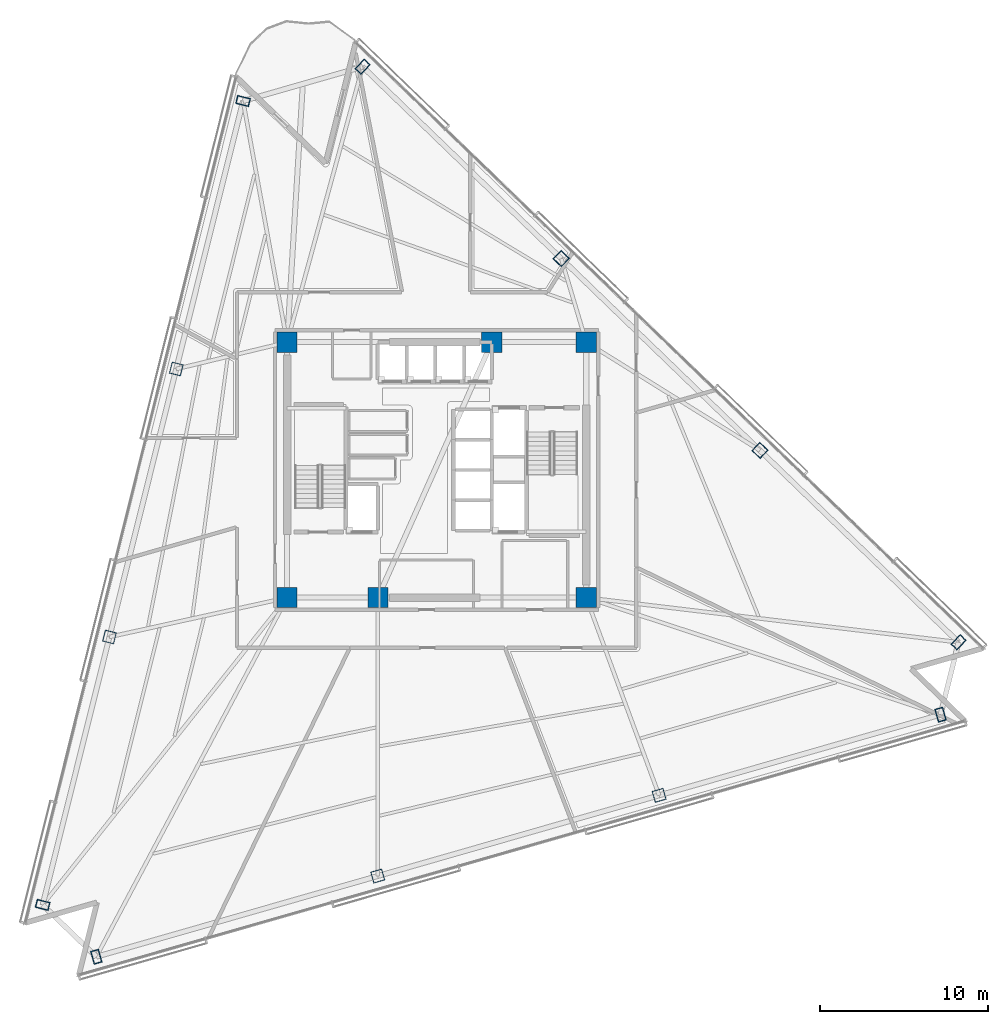
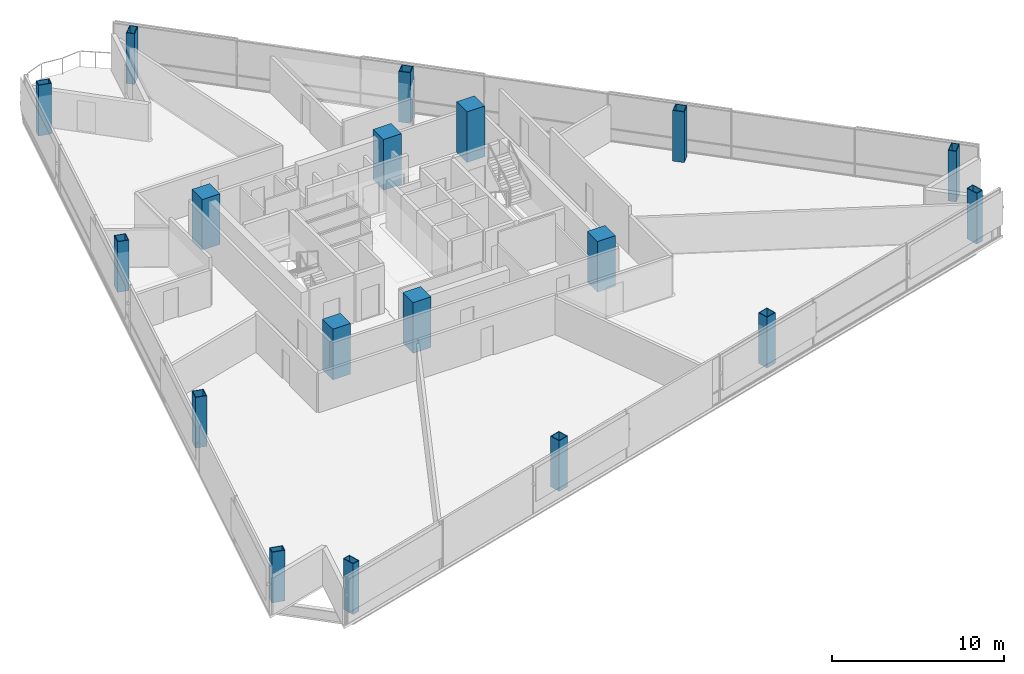
# One storey, part 1 of 17: 18 columns.
"""IFC4 building model written with IfcOpenShell, lengths in metres."""

from ifc_helpers import new_model, si_unit, direction, frame, origin, origin_2d, place, context, subcontext, project, spatial, rectangle, hollow_rectangle, extrude, material, material_profile, profile_set, type_object, element, save


model = new_model("IFC4")

# Units and contexts
model_context = context("Model", 3, precision=1e-05, world=origin(), true_north=direction((0.0, 1.0)))
body_context = subcontext(model_context, "Body", "Model", "MODEL_VIEW")
ifc_project = project(units=[si_unit("LENGTHUNIT", "METRE"), si_unit("AREAUNIT", "SQUARE_METRE"), si_unit("VOLUMEUNIT", "CUBIC_METRE"), si_unit("PLANEANGLEUNIT", "RADIAN"), si_unit("MASSUNIT", "GRAM", prefix="KILO")], contexts=[model_context])

# Site, building, storey
site_placement = place(None, origin())
site = spatial("IfcSite", under=ifc_project, at=site_placement, CompositionType="ELEMENT")
building_placement = place(site_placement, origin())
building = spatial("IfcBuilding", under=site, at=building_placement, Name="Tharavind Bronze Gate", CompositionType="ELEMENT")
storey_placement = place(building_placement, frame((0.0, 0.0, 93.300048828125)))
storey = spatial("IfcBuildingStorey", under=building, at=storey_placement, Name="L23", CompositionType="ELEMENT", Elevation=93.300048828125)

# Columns
ifc_material_1 = material(Name="Steel S460", Category="steel")
ifc_material_profile_1 = material_profile(ifc_material_1, hollow_rectangle(XDim=0.5, YDim=0.800048828125, WallThickness=0.0400390625, at=origin_2d()), Name="RHS800X500X40")
ifc_profile_set_1 = profile_set([ifc_material_profile_1], Name="Steel S460")
column_type_1 = type_object("IfcColumnType", Name="CORNER NOTCH COLUMN RHS800X500", PredefinedType="COLUMN", material=ifc_profile_set_1)
for number, where, z_axis, x_axis, name in (
    (1, (-11.520263671875, 21.952392578125, 0.0), (0.0, 0.0, 1.0), (0.2419218956, 0.970295726276, 0.0), "L23 perimeter column S1C1"),
    (2, (-23.447265625, -25.884521484375, 0.0), (0.0, 0.0, 1.0), (0.2419218956, 0.970295726276, 0.0), "L23 perimeter column S1C4"),
    (3, (-20.25341796875, -28.96875, 0.0), (0.0, 0.0, 1.0), (0.961261695938, 0.275637355817, 0.0), "L23 perimeter column S2C1"),
    (4, (29.9833984375, -14.563720703125, 0.0), (0.0, 0.0, 1.0), (0.961261695938, 0.275637355817, 0.0), "L23 perimeter column S2C4"),
    (5, (31.0576171875, -10.255615234375, 0.0), (0.0, 0.0, 1.0), (-0.719339800339, 0.694658370459, 0.0), "L23 perimeter column S3C1"),
    (6, (-4.406982421875, 23.9921875, 0.0), (0.0, 0.0, 1.0), (-0.719339800339, 0.694658370459, 0.0), "L23 perimeter column S3C4"),
):
    element("IfcColumn", number, at=place(storey_placement, frame(where, z_axis=z_axis, x_axis=x_axis)), inside=storey, type_object=column_type_1, Name=name, PredefinedType="COLUMN", context=body_context, shape_type="SweptSolid", body=[
        extrude(hollow_rectangle(XDim=0.5, YDim=0.800048828125, WallThickness=0.0400390625, at=origin_2d()), origin(), (0.0, 0.0, 1.0), 3.599853515625),
    ])
ifc_material_2 = material(Name="Concrete C60/75", Category="concrete")
ifc_material_profile_2 = material_profile(ifc_material_2, rectangle(XDim=1.199951171875, YDim=1.199951171875, at=origin_2d()), Name="RCCOL1200")
ifc_profile_set_2 = profile_set([ifc_material_profile_2], Name="Concrete C60/75")
column_type_2 = type_object("IfcColumnType", Name="MEGA CORE COLUMN 1200", PredefinedType="COLUMN", material=ifc_profile_set_2)
for number, where, z_axis, x_axis, name in (
    (7, (-8.89990234375, -7.60009765625, 0.0), (0.0, 0.0, 1.0), (1.0, 0.0, 0.0), "L23 core mega column MC1"),
    (8, (-3.5, -7.60009765625, 0.0), (0.0, 0.0, 1.0), (1.0, 0.0, 0.0), "L23 core mega column MC2"),
    (9, (8.89990234375, -7.60009765625, 0.0), (0.0, 0.0, 1.0), (1.0, 0.0, 0.0), "L23 core mega column MC3"),
    (10, (8.89990234375, 7.60009765625, 0.0), (0.0, 0.0, 1.0), (1.0, 0.0, 0.0), "L23 core mega column MC4"),
    (11, (3.280029296875, 7.60009765625, 0.0), (0.0, 0.0, 1.0), (1.0, 0.0, 0.0), "L23 core mega column MC5"),
    (12, (-8.89990234375, 7.60009765625, 0.0), (0.0, 0.0, 1.0), (1.0, 0.0, 0.0), "L23 core mega column MC6"),
):
    element("IfcColumn", number, at=place(storey_placement, frame(where, z_axis=z_axis, x_axis=x_axis)), inside=storey, type_object=column_type_2, Name=name, PredefinedType="COLUMN", context=body_context, shape_type="SweptSolid", body=[
        extrude(rectangle(XDim=1.199951171875, YDim=1.199951171875, at=origin_2d()), origin(), (0.0, 0.0, 1.0), 3.599853515625),
    ])
ifc_material_profile_3 = material_profile(ifc_material_1, hollow_rectangle(XDim=0.699951171875, YDim=0.699951171875, WallThickness=0.0400390625, at=origin_2d()), Name="SHS700X40")
ifc_profile_set_3 = profile_set([ifc_material_profile_3], Name="Steel S460")
column_type_3 = type_object("IfcColumnType", Name="PERIMETER BOX COLUMN SHS700", PredefinedType="COLUMN", material=ifc_profile_set_3)
for number, where, z_axis, x_axis, name in (
    (13, (-15.495849609375, 6.006591796875, 0.0), (0.0, 0.0, 1.0), (0.2419218956, 0.970295726276, 0.0), "L23 perimeter column S1C2"),
    (14, (-19.4716796875, -9.93896484375, 0.0), (0.0, 0.0, 1.0), (0.2419218956, 0.970295726276, 0.0), "L23 perimeter column S1C3"),
    (15, (-3.5078125, -24.1669921875, 0.0), (0.0, 0.0, 1.0), (0.961261695938, 0.275637355817, 0.0), "L23 perimeter column S2C2"),
    (16, (13.23779296875, -19.365234375, 0.0), (0.0, 0.0, 1.0), (0.961261695938, 0.275637355817, 0.0), "L23 perimeter column S2C3"),
    (17, (19.236083984375, 1.160400390625, 0.0), (0.0, 0.0, 1.0), (-0.719339800339, 0.694658370459, 0.0), "L23 perimeter column S3C2"),
    (18, (7.41455078125, 12.576171875, 0.0), (0.0, 0.0, 1.0), (-0.719339800339, 0.694658370459, 0.0), "L23 perimeter column S3C3"),
):
    element("IfcColumn", number, at=place(storey_placement, frame(where, z_axis=z_axis, x_axis=x_axis)), inside=storey, type_object=column_type_3, Name=name, PredefinedType="COLUMN", context=body_context, shape_type="SweptSolid", body=[
        extrude(hollow_rectangle(XDim=0.699951171875, YDim=0.699951171875, WallThickness=0.0400390625, at=origin_2d()), origin(), (0.0, 0.0, 1.0), 3.599853515625),
    ])

save(model, "model.ifc")
